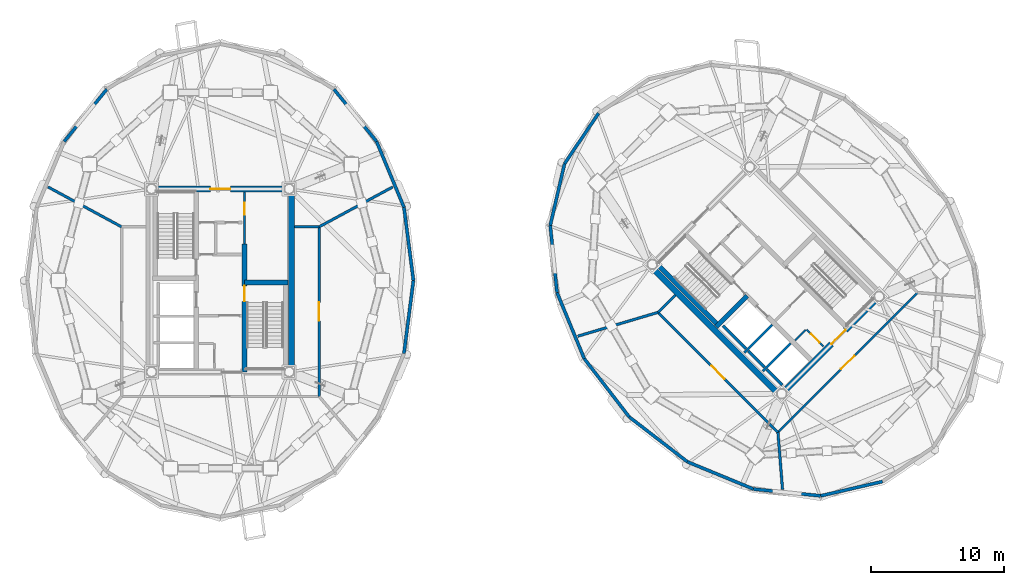
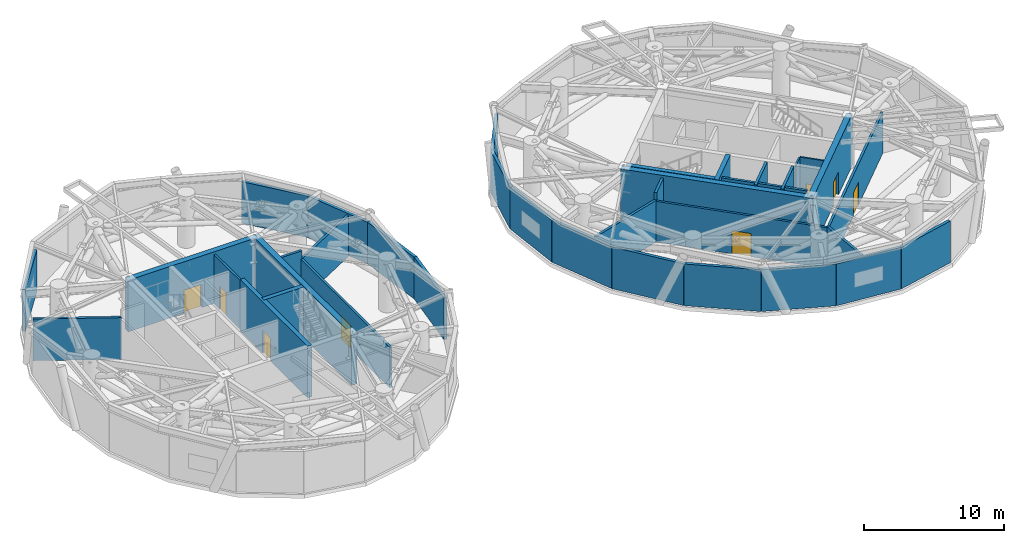
# One storey, part 11 of 16: 39 walls, 8 doors, 8 openings.
"""IFC4 building model written with IfcOpenShell, lengths in metres."""

from ifc_helpers import new_model, si_unit, direction, frame, frame_2d, origin, place, context, subcontext, project, spatial, rectangle, extrude, source, transform, mapped, material, layer, layer_set, type_object, element, fill, save


model = new_model("IFC4")

# Units and contexts
model_context = context("Model", 3, precision=1e-05, world=origin(), true_north=direction((0.0, 1.0)))
body_context = subcontext(model_context, "Body", "Model", "MODEL_VIEW")
ifc_project = project(units=[si_unit("LENGTHUNIT", "METRE"), si_unit("AREAUNIT", "SQUARE_METRE"), si_unit("VOLUMEUNIT", "CUBIC_METRE"), si_unit("PLANEANGLEUNIT", "RADIAN"), si_unit("MASSUNIT", "GRAM", prefix="KILO")], contexts=[model_context])

# Site, building, storey
site_placement = place(None, origin())
site = spatial("IfcSite", under=ifc_project, at=site_placement, CompositionType="ELEMENT")
building_placement = place(site_placement, origin())
building = spatial("IfcBuilding", under=site, at=building_placement, Name="Cununo Teusaquillo Station Towers", CompositionType="ELEMENT")
storey_placement = place(building_placement, frame((0.0, 0.0, 147.10009765625)))
storey = spatial("IfcBuildingStorey", under=building, at=storey_placement, Name="L46", CompositionType="ELEMENT", Elevation=147.10009765625)

# Walls
ifc_material_1 = material(Name="Concrete C50/60", Category="concrete")
ifc_layer_1 = layer(ifc_material_1, 0.199951171875)
ifc_layer_set_1 = layer_set([ifc_layer_1], Name="Concrete C50/60")
wall_type_1 = type_object("IfcWallType", Name="WL-CORE-200", PredefinedType="SHEAR", material=ifc_layer_set_1)
wall_1_placement = place(storey_placement, frame((55.8876953125, 19.0693359375, 0.0), z_axis=(0.0, 0.0, 1.0), x_axis=(0.707106781187, 0.707106781187, 0.0)))
element("IfcWall", 1, at=wall_1_placement, inside=storey, type_object=wall_type_1, Name="L46 Tower B Firefighting Lift Shaft South Shear Wall", PredefinedType="SHEAR", context=body_context, shape_type="SweptSolid", body=[
    extrude(rectangle(XDim=2.969970703125, YDim=0.199951171875, at=frame_2d((1.48486328125, 0.0))), origin(), (0.0, 0.0, 1.0), 4.5),
])
wall_2_placement = place(storey_placement, frame((56.01513671875, 19.366455078125, 0.0), z_axis=(0.0, 0.0, 1.0), x_axis=(-0.707106781187, 0.707106781187, 0.0)))
element("IfcWall", 2, at=wall_2_placement, inside=storey, type_object=wall_type_1, Name="L46 Tower B Firefighting Lift Shaft Rear Shear Wall", PredefinedType="SHEAR", context=body_context, shape_type="SweptSolid", body=[
    extrude(rectangle(XDim=2.43994140625, YDim=0.199951171875, at=frame_2d((1.219970703125, 0.0))), origin(), (0.0, 0.0, 1.0), 4.5),
])
wall_3_placement = place(storey_placement, frame((57.2841796875, 17.6728515625, 0.0), z_axis=(0.0, 0.0, 1.0), x_axis=(0.707147878904, 0.70706568108, 0.0)))
element("IfcWall", 3, at=wall_3_placement, inside=storey, type_object=wall_type_1, Name="L46 Tower B High-Rise Lift Hoistway Divider Shear Wall", PredefinedType="SHEAR", context=body_context, shape_type="SweptSolid", body=[
    extrude(rectangle(XDim=2.97021484375, YDim=0.199951171875, at=frame_2d((1.485107421875, 0.0))), origin(), (0.0, 0.0, 1.0), 4.5),
])
wall_4_placement = place(storey_placement, frame((57.41162109375, 17.969970703125, 0.0), z_axis=(0.0, 0.0, 1.0), x_axis=(-0.707106781187, 0.707106781187, 0.0)))
element("IfcWall", 4, at=wall_4_placement, inside=storey, type_object=wall_type_1, Name="L46 Tower B High-Rise Lift 2 Shaft Rear Shear Wall", PredefinedType="SHEAR", context=body_context, shape_type="SweptSolid", body=[
    extrude(rectangle(XDim=1.73486328125, YDim=0.199951171875, at=frame_2d((0.867431640625, 0.0))), origin(), (0.0, 0.0, 1.0), 4.5),
])
wall_5_placement = place(storey_placement, frame((58.7373046875, 16.64404296875, 0.0), z_axis=(0.0, 0.0, 1.0), x_axis=(-0.707032117043, 0.707181437447, 0.0)))
element("IfcWall", 5, at=wall_5_placement, inside=storey, type_object=wall_type_1, Name="L46 Tower B High-Rise Lift 1 Shaft Rear Shear Wall", PredefinedType="SHEAR", context=body_context, shape_type="SweptSolid", body=[
    extrude(rectangle(XDim=1.635009765625, YDim=0.199951171875, at=frame_2d((0.8173828125, 0.0))), origin(), (0.0, 0.0, 1.0), 4.5),
])

# Wall, opening, door
ifc_material_2 = material(Name="Concrete C50/60", Category="concrete")
ifc_layer_2 = layer(ifc_material_2, 0.35009765625)
ifc_layer_set_2 = layer_set([ifc_layer_2], Name="Concrete C50/60")
wall_type_2 = type_object("IfcWallType", Name="WL-CORE-350", PredefinedType="SHEAR", material=ifc_layer_set_2)
wall_6_placement = place(storey_placement, frame((18.31494140625, 17.625, 0.0), z_axis=(0.0, 0.0, 1.0), x_axis=(0.0, 1.0, 0.0)))
wall_6 = element("IfcWall", 6, at=wall_6_placement, inside=storey, type_object=wall_type_2, Name="L46 Tower A Core Shear Wall IE", PredefinedType="SHEAR", context=body_context, shape_type="SweptSolid", body=[
    extrude(rectangle(XDim=9.625, YDim=0.35009765625, at=frame_2d((4.8125, 0.0))), origin(), (0.0, 0.0, 1.0), 4.5),
])
shared_shape_1 = source(origin(), body_context, "Body", "SweptSolid", [
    extrude(rectangle(XDim=1.14990234375, YDim=2.02001953125, at=frame_2d((0.574951171875, 1.010009765625))), frame((0.0, 0.18505859375, 0.0), z_axis=(0.0, -1.0, 0.0), x_axis=(1.0, 0.0, 0.0)), (0.0, 0.0, 1.0), 0.3701171875),
])
opening_1_placement = place(wall_6_placement, frame((5.304931640625, 0.0, 0.0)))
opening_1 = element("IfcOpeningElement", 7, at=opening_1_placement, cuts=wall_6, Name="Opening D-ST1", PredefinedType="OPENING", context=body_context, shape_type="MappedRepresentation", body=[
    mapped(shared_shape_1, transform((0.0, 0.0, 0.0), x_axis=(1.0, 0.0, 0.0), y_axis=(0.0, 1.0, 0.0), z_axis=(0.0, 0.0, 1.0), scale=1.0)),
])
ifc_material_3 = material(Name="Galvanised fire-rated hollow steel door assembly", Category="steel")
door_type_1 = type_object("IfcDoorType", Name="DR-STAIR-1150", OperationType="NOTDEFINED", PredefinedType="DOOR", material=ifc_material_3)
shared_shape_2 = source(origin(), body_context, "Body", "SweptSolid", [
    extrude(rectangle(XDim=1.14990234375, YDim=2.02001953125, at=frame_2d((0.574951171875, 1.010009765625))), frame((0.0, 0.02490234375, 0.0), z_axis=(0.0, -1.0, 0.0), x_axis=(1.0, 0.0, 0.0)), (0.0, 0.0, 1.0), 0.050048828125),
])
door_1_placement = place(opening_1_placement, origin())
door_1 = element("IfcDoor", 8, at=door_1_placement, inside=storey, type_object=door_type_1, Name="L46 Tower A Exit Stair 2 Fire Door", OperationType="SINGLE_SWING_LEFT", OverallHeight=2.02001953125, OverallWidth=1.14990234375, PredefinedType="DOOR", context=body_context, shape_type="MappedRepresentation", body=[
    mapped(shared_shape_2, transform((0.0, 0.0, 0.0), x_axis=(1.0, 0.0, 0.0), y_axis=(0.0, 1.0, 0.0), z_axis=(0.0, 0.0, 1.0), scale=1.0)),
])
fill(opening_1, door_1)

# Walls
wall_7_placement = place(storey_placement, frame((18.31494140625, 24.344970703125, 0.0), z_axis=(0.0, 0.0, 1.0), x_axis=(1.0, 0.0, 0.0)))
element("IfcWall", 9, at=wall_7_placement, inside=storey, type_object=wall_type_2, Name="L46 Tower A Core Shear Wall ST2N", PredefinedType="SHEAR", context=body_context, shape_type="SweptSolid", body=[
    extrude(rectangle(XDim=3.28515625, YDim=0.35009765625, at=frame_2d((1.642578125, 0.0))), origin(), (0.0, 0.0, 1.0), 4.5),
])
wall_8_placement = place(storey_placement, frame((53.922119140625, 21.14111328125, 0.0), z_axis=(0.0, 0.0, 1.0), x_axis=(-0.707088616009, 0.707124945897, 0.0)))
element("IfcWall", 10, at=wall_8_placement, inside=storey, type_object=wall_type_2, Name="L46 Tower B Core Shear Wall ST1W", PredefinedType="SHEAR", context=body_context, shape_type="SweptSolid", body=[
    extrude(rectangle(XDim=6.72021484375, YDim=0.35009765625, at=frame_2d((3.360107421875, 0.0))), origin(), (0.0, 0.0, 1.0), 4.5),
])
wall_9_placement = place(storey_placement, frame((53.7841796875, 21.00341796875, 0.0), z_axis=(0.0, 0.0, 1.0), x_axis=(0.707106781187, 0.707106781187, 0.0)))
element("IfcWall", 11, at=wall_9_placement, inside=storey, type_object=wall_type_2, Name="L46 Tower B Core Shear Wall ST1S", PredefinedType="SHEAR", context=body_context, shape_type="SweptSolid", body=[
    extrude(rectangle(XDim=3.284912109375, YDim=0.35009765625, at=frame_2d((1.642578125, 0.0))), origin(), (0.0, 0.0, 1.0), 4.5),
])
ifc_material_4 = material(Name="Concrete C60/75", Category="concrete")
ifc_layer_3 = layer(ifc_material_4, 0.449951171875)
ifc_layer_set_3 = layer_set([ifc_layer_3], Name="Concrete C60/75")
wall_type_3 = type_object("IfcWallType", Name="WL-CORE-450", PredefinedType="SHEAR", material=ifc_layer_set_3)
wall_10_placement = place(storey_placement, frame((21.85009765625, 17.39990234375, 0.0), z_axis=(0.0, 0.0, 1.0), x_axis=(0.0, 1.0, 0.0)))
element("IfcWall", 12, at=wall_10_placement, inside=storey, type_object=wall_type_3, Name="L46 Tower A Core Shear Wall E", PredefinedType="SHEAR", context=body_context, shape_type="SweptSolid", body=[
    extrude(rectangle(XDim=14.2001953125, YDim=0.449951171875, at=frame_2d((7.10009765625, 0.0))), origin(), (0.0, 0.0, 1.0), 4.5),
])

# Wall, opening, door
wall_11_placement = place(storey_placement, frame((11.14990234375, 31.375, 0.0), z_axis=(0.0, 0.0, 1.0), x_axis=(1.0, 0.0, 0.0)))
wall_11 = element("IfcWall", 13, at=wall_11_placement, inside=storey, type_object=wall_type_3, Name="L46 Tower A Core Shear Wall N", PredefinedType="SHEAR", context=body_context, shape_type="SweptSolid", body=[
    extrude(rectangle(XDim=10.7001953125, YDim=0.449951171875, at=frame_2d((5.35009765625, 0.0))), origin(), (0.0, 0.0, 1.0), 4.5),
])
shared_shape_3 = source(origin(), body_context, "Body", "SweptSolid", [
    extrude(rectangle(XDim=1.5, YDim=2.02001953125, at=frame_2d((0.75, 1.010009765625))), frame((0.0, 0.23486328125, 0.0), z_axis=(0.0, -1.0, 0.0), x_axis=(1.0, 0.0, 0.0)), (0.0, 0.0, 1.0), 0.469970703125),
])
opening_2_placement = place(wall_11_placement, frame((4.60009765625, 0.0, 0.0)))
opening_2 = element("IfcOpeningElement", 14, at=opening_2_placement, cuts=wall_11, Name="Opening D-LB1", PredefinedType="OPENING", context=body_context, shape_type="MappedRepresentation", body=[
    mapped(shared_shape_3, transform((0.0, 0.0, 0.0), x_axis=(1.0, 0.0, 0.0), y_axis=(0.0, 1.0, 0.0), z_axis=(0.0, 0.0, 1.0), scale=1.0)),
])
ifc_material_5 = material(Name="Galvanised fire-rated hollow steel door assembly", Category="steel")
door_type_2 = type_object("IfcDoorType", Name="DR-LOBBY-1500", OperationType="DOUBLE_DOOR_SINGLE_SWING", PredefinedType="DOOR", material=ifc_material_5)
shared_shape_4 = source(origin(), body_context, "Body", "SweptSolid", [
    extrude(rectangle(XDim=1.5, YDim=2.02001953125, at=frame_2d((0.75, 1.010009765625))), frame((0.0, 0.02490234375, 0.0), z_axis=(0.0, -1.0, 0.0), x_axis=(1.0, 0.0, 0.0)), (0.0, 0.0, 1.0), 0.050048828125),
])
door_2_placement = place(opening_2_placement, origin())
door_2 = element("IfcDoor", 15, at=door_2_placement, inside=storey, type_object=door_type_2, Name="L46 Tower A North Core Lift Lobby Door", OperationType="DOUBLE_DOOR_SINGLE_SWING", OverallHeight=2.02001953125, OverallWidth=1.5, PredefinedType="DOOR", context=body_context, shape_type="MappedRepresentation", body=[
    mapped(shared_shape_4, transform((0.0, 0.0, 0.0), x_axis=(1.0, 0.0, 0.0), y_axis=(0.0, 1.0, 0.0), z_axis=(0.0, 0.0, 1.0), scale=1.0)),
])
fill(opening_2, door_2)

# Wall
wall_12_placement = place(storey_placement, frame((58.7373046875, 15.696533203125, 0.0), z_axis=(0.0, 0.0, 1.0), x_axis=(-0.707106781187, 0.707106781187, 0.0)))
element("IfcWall", 16, at=wall_12_placement, inside=storey, type_object=wall_type_3, Name="L46 Tower B Core Shear Wall W", PredefinedType="SHEAR", context=body_context, shape_type="SweptSolid", body=[
    extrude(rectangle(XDim=14.19970703125, YDim=0.449951171875, at=frame_2d((7.099853515625, 0.0))), origin(), (0.0, 0.0, 1.0), 4.5),
])

# Wall, opening, door
wall_13_placement = place(storey_placement, frame((58.578369140625, 15.855712890625, 0.0), z_axis=(0.0, 0.0, 1.0), x_axis=(0.707106781187, 0.707106781187, 0.0)))
wall_13 = element("IfcWall", 17, at=wall_13_placement, inside=storey, type_object=wall_type_3, Name="L46 Tower B Core Shear Wall S", PredefinedType="SHEAR", context=body_context, shape_type="SweptSolid", body=[
    extrude(rectangle(XDim=10.69970703125, YDim=0.449951171875, at=frame_2d((5.349853515625, 0.0))), origin(), (0.0, 0.0, 1.0), 4.5),
])
opening_3_placement = place(wall_13_placement, frame((5.449951171875, 0.0, 0.0)))
opening_3 = element("IfcOpeningElement", 18, at=opening_3_placement, cuts=wall_13, Name="Opening D-LB1", PredefinedType="OPENING", context=body_context, shape_type="MappedRepresentation", body=[
    mapped(shared_shape_3, transform((0.0, 0.0, 0.0), x_axis=(1.0, 0.0, 0.0), y_axis=(0.0, 1.0, 0.0), z_axis=(0.0, 0.0, 1.0), scale=1.0)),
])
door_3_placement = place(opening_3_placement, origin())
door_3 = element("IfcDoor", 19, at=door_3_placement, inside=storey, type_object=door_type_2, Name="L46 Tower B South Core Lift Lobby Door", OperationType="DOUBLE_DOOR_SINGLE_SWING", OverallHeight=2.02001953125, OverallWidth=1.5, PredefinedType="DOOR", context=body_context, shape_type="MappedRepresentation", body=[
    mapped(shared_shape_4, transform((0.0, 0.0, 0.0), x_axis=(1.0, 0.0, 0.0), y_axis=(0.0, 1.0, 0.0), z_axis=(0.0, 0.0, 1.0), scale=1.0)),
])
fill(opening_3, door_3)

# Walls
ifc_material_6 = material(Name="Precast concrete C40/50", Category="concrete")
ifc_layer_4 = layer(ifc_material_6, 0.239990234375)
ifc_layer_set_4 = layer_set([ifc_layer_4], Name="Precast concrete C40/50")
wall_type_4 = type_object("IfcWallType", Name="WL-EXT-240", PredefinedType="SOLIDWALL", material=ifc_layer_set_4)
wall_14_placement = place(storey_placement, frame((30.3046875, 29.9912109375, 0.0), z_axis=(0.0, 0.0, 1.0), x_axis=(0.128266533912, -0.991739732126, 0.0)))
element("IfcWall", 20, at=wall_14_placement, inside=storey, type_object=wall_type_4, Name="L46 Tower A Exterior Facade Wall C00", PredefinedType="SOLIDWALL", context=body_context, shape_type="SweptSolid", body=[
    extrude(rectangle(XDim=5.536865234375, YDim=0.239990234375, at=frame_2d((2.7685546875, 0.0))), origin(), (0.0, 0.0, 1.0), 3.635986328125),
])
wall_15_placement = place(storey_placement, frame((28.242919921875, 34.94482421875, 0.0), z_axis=(0.0, 0.0, 1.0), x_axis=(0.384259959969, -0.923224936386, 0.0)))
element("IfcWall", 21, at=wall_15_placement, inside=storey, type_object=wall_type_4, Name="L46 Tower A Exterior Facade Wall C01", PredefinedType="SOLIDWALL", context=body_context, shape_type="SweptSolid", body=[
    extrude(rectangle(XDim=5.365478515625, YDim=0.239990234375, at=frame_2d((2.6826171875, 0.0))), origin(), (0.0, 0.0, 1.0), 3.635986328125),
])
for number, where, z_axis, x_axis, name in (
    (22, (25.03173828125, 38.876220703125, 0.0), (0.0, 0.0, 1.0), (0.632598524901, -0.774479894053, 0.0), "L46 Tower A Exterior Facade Wall C02"),
    (23, (4.757080078125, 34.94482421875, 0.0), (0.0, 0.0, 1.0), (0.632598524901, 0.774479894053, 0.0), "L46 Tower A Exterior Facade Wall C07"),
):
    element("IfcWall", number, at=place(storey_placement, frame(where, z_axis=z_axis, x_axis=x_axis)), inside=storey, type_object=wall_type_4, Name=name, PredefinedType="SOLIDWALL", context=body_context, shape_type="SweptSolid", body=[
        extrude(rectangle(XDim=5.076171875, YDim=0.239990234375, at=frame_2d((2.5380859375, 0.0))), origin(), (0.0, 0.0, 1.0), 3.635986328125),
    ])
wall_16_placement = place(storey_placement, frame((31.014892578125, 24.5, 0.0), z_axis=(0.0, 0.0, 1.0), x_axis=(-0.128266533912, -0.991739732126, 0.0)))
element("IfcWall", 24, at=wall_16_placement, inside=storey, type_object=wall_type_4, Name="L46 Tower A Exterior Facade Wall C19", PredefinedType="SOLIDWALL", context=body_context, shape_type="SweptSolid", body=[
    extrude(rectangle(XDim=5.536865234375, YDim=0.239990234375, at=frame_2d((2.7685546875, 0.0))), origin(), (0.0, 0.0, 1.0), 3.635986328125),
])
wall_17_placement = place(storey_placement, frame((42.3779296875, 33.27880859375, 0.0), z_axis=(0.0, 0.0, 1.0), x_axis=(0.559635286042, 0.828739009952, 0.0)))
element("IfcWall", 25, at=wall_17_placement, inside=storey, type_object=wall_type_4, Name="L46 Tower B Exterior Facade Wall C05", PredefinedType="SOLIDWALL", context=body_context, shape_type="SweptSolid", body=[
    extrude(rectangle(XDim=4.56884765625, YDim=0.239990234375, at=frame_2d((2.284423828125, 0.0))), origin(), (0.0, 0.0, 1.0), 3.635986328125),
])
wall_18_placement = place(storey_placement, frame((41.3017578125, 28.6328125, 0.0), z_axis=(0.0, 0.0, 1.0), x_axis=(0.225659540039, 0.974206226622, 0.0)))
element("IfcWall", 26, at=wall_18_placement, inside=storey, type_object=wall_type_4, Name="L46 Tower B Exterior Facade Wall C06", PredefinedType="SOLIDWALL", context=body_context, shape_type="SweptSolid", body=[
    extrude(rectangle(XDim=4.76904296875, YDim=0.239990234375, at=frame_2d((2.384521484375, 0.0))), origin(), (0.0, 0.0, 1.0), 3.635986328125),
])
wall_19_placement = place(storey_placement, frame((41.810791015625, 23.582275390625, 0.0), z_axis=(0.0, 0.0, 1.0), x_axis=(-0.100279889424, 0.994959267396, 0.0)))
element("IfcWall", 27, at=wall_19_placement, inside=storey, type_object=wall_type_4, Name="L46 Tower B Exterior Facade Wall C07", PredefinedType="SOLIDWALL", context=body_context, shape_type="SweptSolid", body=[
    extrude(rectangle(XDim=5.076171875, YDim=0.239990234375, at=frame_2d((2.5380859375, 0.0))), origin(), (0.0, 0.0, 1.0), 3.635986328125),
])
wall_20_placement = place(storey_placement, frame((43.855712890625, 18.62158203125, 0.0), z_axis=(0.0, 0.0, 1.0), x_axis=(-0.38111364655, 0.924528197738, 0.0)))
element("IfcWall", 28, at=wall_20_placement, inside=storey, type_object=wall_type_4, Name="L46 Tower B Exterior Facade Wall C08", PredefinedType="SOLIDWALL", context=body_context, shape_type="SweptSolid", body=[
    extrude(rectangle(XDim=5.36572265625, YDim=0.239990234375, at=frame_2d((2.682861328125, 0.0))), origin(), (0.0, 0.0, 1.0), 3.635986328125),
])
for number, where, z_axis, x_axis, name in (
    (29, (47.236328125, 14.236328125, 0.0), (0.0, 0.0, 1.0), (-0.610543584779, 0.791982658323, 0.0), "L46 Tower B Exterior Facade Wall C09"),
    (30, (51.62158203125, 10.855712890625, 0.0), (0.0, 0.0, 1.0), (-0.791982658323, 0.610543584779, 0.0), "L46 Tower B Exterior Facade Wall C10"),
):
    element("IfcWall", number, at=place(storey_placement, frame(where, z_axis=z_axis, x_axis=x_axis)), inside=storey, type_object=wall_type_4, Name=name, PredefinedType="SOLIDWALL", context=body_context, shape_type="SweptSolid", body=[
        extrude(rectangle(XDim=5.537109375, YDim=0.239990234375, at=frame_2d((2.7685546875, 0.0))), origin(), (0.0, 0.0, 1.0), 3.635986328125),
    ])
wall_21_placement = place(storey_placement, frame((56.582275390625, 8.810791015625, 0.0), z_axis=(0.0, 0.0, 1.0), x_axis=(-0.924528197738, 0.38111364655, 0.0)))
element("IfcWall", 31, at=wall_21_placement, inside=storey, type_object=wall_type_4, Name="L46 Tower B Exterior Facade Wall C11", PredefinedType="SOLIDWALL", context=body_context, shape_type="SweptSolid", body=[
    extrude(rectangle(XDim=5.36572265625, YDim=0.239990234375, at=frame_2d((2.682861328125, 0.0))), origin(), (0.0, 0.0, 1.0), 3.635986328125),
])
wall_22_placement = place(storey_placement, frame((61.6328125, 8.3017578125, 0.0), z_axis=(0.0, 0.0, 1.0), x_axis=(-0.994959267396, 0.100279889424, 0.0)))
element("IfcWall", 32, at=wall_22_placement, inside=storey, type_object=wall_type_4, Name="L46 Tower B Exterior Facade Wall C12", PredefinedType="SOLIDWALL", context=body_context, shape_type="SweptSolid", body=[
    extrude(rectangle(XDim=5.076171875, YDim=0.239990234375, at=frame_2d((2.5380859375, 0.0))), origin(), (0.0, 0.0, 1.0), 3.635986328125),
])
wall_23_placement = place(storey_placement, frame((66.27880859375, 9.3779296875, 0.0), z_axis=(0.0, 0.0, 1.0), x_axis=(-0.974206226622, -0.225659540039, 0.0)))
element("IfcWall", 33, at=wall_23_placement, inside=storey, type_object=wall_type_4, Name="L46 Tower B Exterior Facade Wall C13", PredefinedType="SOLIDWALL", context=body_context, shape_type="SweptSolid", body=[
    extrude(rectangle(XDim=4.76904296875, YDim=0.239990234375, at=frame_2d((2.384521484375, 0.0))), origin(), (0.0, 0.0, 1.0), 3.635986328125),
])

# Wall, opening, door
ifc_material_7 = material(Name="Fire-rated gypsum plasterboard partition assembly", Category="gypsum")
ifc_layer_5 = layer(ifc_material_7, 0.125)
ifc_layer_set_5 = layer_set([ifc_layer_5], Name="Fire-rated gypsum plasterboard partition assembly")
wall_type_5 = type_object("IfcWallType", Name="WL-PART-125", PredefinedType="PARTITIONING", material=ifc_layer_set_5)
wall_24_placement = place(storey_placement, frame((61.834716796875, 19.529052734375, 0.0), z_axis=(0.0, 0.0, 1.0), x_axis=(-0.707174592913, 0.707038962956, 0.0)))
wall_24 = element("IfcWall", 34, at=wall_24_placement, inside=storey, type_object=wall_type_5, Name="L46 Tower B South-West Compact Store East Wall", PredefinedType="PARTITIONING", context=body_context, shape_type="SweptSolid", body=[
    extrude(rectangle(XDim=1.800048828125, YDim=0.125, at=frame_2d((0.89990234375, 0.0))), origin(), (0.0, 0.0, 1.0), 4.264892578125),
])
shared_shape_5 = source(origin(), body_context, "Body", "SweptSolid", [
    extrude(rectangle(XDim=0.89990234375, YDim=2.0048828125, at=frame_2d((0.449951171875, 1.00244140625))), frame((0.0, 0.072509765625, 0.0), z_axis=(0.0, -1.0, 0.0), x_axis=(1.0, 0.0, 0.0)), (0.0, 0.0, 1.0), 0.14501953125),
])
opening_4_placement = place(wall_24_placement, frame((0.419921875, 0.0, 0.0)))
opening_4 = element("IfcOpeningElement", 35, at=opening_4_placement, cuts=wall_24, Name="Opening D-SR1", PredefinedType="OPENING", context=body_context, shape_type="MappedRepresentation", body=[
    mapped(shared_shape_5, transform((0.0, 0.0, 0.0), x_axis=(1.0, 0.0, 0.0), y_axis=(0.0, 1.0, 0.0), z_axis=(0.0, 0.0, 1.0), scale=1.0)),
])
ifc_material_8 = material(Name="Galvanised fire-rated hollow steel door assembly", Category="steel")
door_type_3 = type_object("IfcDoorType", Name="DR-STORE-900", OperationType="NOTDEFINED", PredefinedType="DOOR", material=ifc_material_8)
shared_shape_6 = source(origin(), body_context, "Body", "SweptSolid", [
    extrude(rectangle(XDim=0.89990234375, YDim=2.0048828125, at=frame_2d((0.449951171875, 1.00244140625))), frame((0.0, 0.02490234375, 0.0), z_axis=(0.0, -1.0, 0.0), x_axis=(1.0, 0.0, 0.0)), (0.0, 0.0, 1.0), 0.050048828125),
])
door_4_placement = place(opening_4_placement, origin())
door_4 = element("IfcDoor", 36, at=door_4_placement, inside=storey, type_object=door_type_3, Name="L46 Tower B Core Electrical & Comms Store Door", OperationType="SINGLE_SWING_RIGHT", OverallHeight=2.0048828125, OverallWidth=0.89990234375, PredefinedType="DOOR", context=body_context, shape_type="MappedRepresentation", body=[
    mapped(shared_shape_6, transform((0.0, 0.0, 0.0), x_axis=(1.0, 0.0, 0.0), y_axis=(0.0, 1.0, 0.0), z_axis=(0.0, 0.0, 1.0), scale=1.0)),
])
fill(opening_4, door_4)

# Wall
wall_25_placement = place(storey_placement, frame((59.713134765625, 19.99560546875, 0.0), z_axis=(0.0, 0.0, 1.0), x_axis=(0.707217726, 0.706995818963, 0.0)))
element("IfcWall", 37, at=wall_25_placement, inside=storey, type_object=wall_type_5, Name="L46 Tower B South-West Compact Store North Wall", PredefinedType="PARTITIONING", context=body_context, shape_type="SweptSolid", body=[
    extrude(rectangle(XDim=1.10009765625, YDim=0.125, at=frame_2d((0.550048828125, 0.0))), origin(), (0.0, 0.0, 1.0), 4.264892578125),
])

# Wall, opening, door
ifc_material_9 = material(Name="Fire-rated gypsum plasterboard partition assembly", Category="gypsum")
ifc_layer_6 = layer(ifc_material_9, 0.159912109375)
ifc_layer_set_6 = layer_set([ifc_layer_6], Name="Fire-rated gypsum plasterboard partition assembly")
wall_type_6 = type_object("IfcWallType", Name="WL-PART-160", PredefinedType="PARTITIONING", material=ifc_layer_set_6)
wall_26_placement = place(storey_placement, frame((18.31494140625, 27.25, 0.0), z_axis=(0.0, 0.0, 1.0), x_axis=(0.0, 1.0, 0.0)))
wall_26 = element("IfcWall", 38, at=wall_26_placement, inside=storey, type_object=wall_type_6, Name="L46 Tower A Reclaimed Core Bay Entry Wall", PredefinedType="PARTITIONING", context=body_context, shape_type="SweptSolid", body=[
    extrude(rectangle(XDim=3.89990234375, YDim=0.159912109375, at=frame_2d((1.949951171875, 0.0))), origin(), (0.0, 0.0, 1.0), 4.264892578125),
])
shared_shape_7 = source(origin(), body_context, "Body", "SweptSolid", [
    extrude(rectangle(XDim=0.89990234375, YDim=2.0048828125, at=frame_2d((0.449951171875, 1.00244140625))), frame((0.0, 0.08984375, 0.0), z_axis=(0.0, -1.0, 0.0), x_axis=(1.0, 0.0, 0.0)), (0.0, 0.0, 1.0), 0.179931640625),
])
opening_5_placement = place(wall_26_placement, frame((2.199951171875, 0.0, 0.0)))
opening_5 = element("IfcOpeningElement", 39, at=opening_5_placement, cuts=wall_26, Name="Opening D-IN1", PredefinedType="OPENING", context=body_context, shape_type="MappedRepresentation", body=[
    mapped(shared_shape_7, transform((0.0, 0.0, 0.0), x_axis=(1.0, 0.0, 0.0), y_axis=(0.0, 1.0, 0.0), z_axis=(0.0, 0.0, 1.0), scale=1.0)),
])
ifc_material_10 = material(Name="Acoustic solid-core hardwood leaf assembly", Category="wood")
door_type_4 = type_object("IfcDoorType", Name="DR-INT-900", OperationType="NOTDEFINED", PredefinedType="DOOR", material=ifc_material_10)
door_5_placement = place(opening_5_placement, origin())
door_5 = element("IfcDoor", 40, at=door_5_placement, inside=storey, type_object=door_type_4, Name="L46 Tower A Reclaimed Core Lounge Door", OperationType="SINGLE_SWING_RIGHT", OverallHeight=2.0048828125, OverallWidth=0.89990234375, PredefinedType="DOOR", context=body_context, shape_type="MappedRepresentation", body=[
    mapped(shared_shape_6, transform((0.0, 0.0, 0.0), x_axis=(1.0, 0.0, 0.0), y_axis=(0.0, 1.0, 0.0), z_axis=(0.0, 0.0, 1.0), scale=1.0)),
])
fill(opening_5, door_5)

ifc_material_11 = material(Name="Fire-rated gypsum plasterboard partition assembly", Category="gypsum")
ifc_layer_7 = layer(ifc_material_11, 0.179931640625)
ifc_layer_set_7 = layer_set([ifc_layer_7], Name="Fire-rated gypsum plasterboard partition assembly")
wall_type_7 = type_object("IfcWallType", Name="WL-PART-180", PredefinedType="PARTITIONING", material=ifc_layer_set_7)
wall_27_placement = place(storey_placement, frame((23.925048828125, 15.77490234375, 0.0), z_axis=(0.0, 0.0, 1.0), x_axis=(0.0, 1.0, 0.0)))
wall_27 = element("IfcWall", 41, at=wall_27_placement, inside=storey, type_object=wall_type_7, Name="L46 Tower A Protected Plant Corridor Wall E", PredefinedType="PARTITIONING", context=body_context, shape_type="SweptSolid", body=[
    extrude(rectangle(XDim=12.75, YDim=0.179931640625, at=frame_2d((6.375, 0.0))), origin(), (0.0, 0.0, 1.0), 3.555908203125),
])
shared_shape_8 = source(origin(), body_context, "Body", "SweptSolid", [
    extrude(rectangle(XDim=1.39990234375, YDim=2.02001953125, at=frame_2d((0.699951171875, 1.010009765625))), frame((0.0, 0.099853515625, 0.0), z_axis=(0.0, -1.0, 0.0), x_axis=(1.0, 0.0, 0.0)), (0.0, 0.0, 1.0), 0.199951171875),
])
opening_6_placement = place(wall_27_placement, frame((5.675048828125, 0.0, 0.0)))
opening_6 = element("IfcOpeningElement", 42, at=opening_6_placement, cuts=wall_27, Name="Opening D-PL1", PredefinedType="OPENING", context=body_context, shape_type="MappedRepresentation", body=[
    mapped(shared_shape_8, transform((0.0, 0.0, 0.0), x_axis=(1.0, 0.0, 0.0), y_axis=(0.0, 1.0, 0.0), z_axis=(0.0, 0.0, 1.0), scale=1.0)),
])
ifc_material_12 = material(Name="Galvanised fire-rated hollow steel door assembly", Category="steel")
door_type_5 = type_object("IfcDoorType", Name="DR-PLANT-1400", OperationType="NOTDEFINED", PredefinedType="DOOR", material=ifc_material_12)
shared_shape_9 = source(origin(), body_context, "Body", "SweptSolid", [
    extrude(rectangle(XDim=1.39990234375, YDim=2.02001953125, at=frame_2d((0.699951171875, 1.010009765625))), frame((0.0, 0.02490234375, 0.0), z_axis=(0.0, -1.0, 0.0), x_axis=(1.0, 0.0, 0.0)), (0.0, 0.0, 1.0), 0.050048828125),
])
door_6_placement = place(opening_6_placement, origin())
door_6 = element("IfcDoor", 43, at=door_6_placement, inside=storey, type_object=door_type_5, Name="L46 Tower A Plant Room E Double Door", OperationType="SINGLE_SWING_LEFT", OverallHeight=2.02001953125, OverallWidth=1.39990234375, PredefinedType="DOOR", context=body_context, shape_type="MappedRepresentation", body=[
    mapped(shared_shape_9, transform((0.0, 0.0, 0.0), x_axis=(1.0, 0.0, 0.0), y_axis=(0.0, 1.0, 0.0), z_axis=(0.0, 0.0, 1.0), scale=1.0)),
])
fill(opening_6, door_6)

wall_28_placement = place(storey_placement, frame((58.419189453125, 13.080078125, 0.0), z_axis=(0.0, 0.0, 1.0), x_axis=(0.707106781187, 0.707106781187, 0.0)))
wall_28 = element("IfcWall", 44, at=wall_28_placement, inside=storey, type_object=wall_type_7, Name="L46 Tower B Protected Plant Corridor Wall S", PredefinedType="PARTITIONING", context=body_context, shape_type="SweptSolid", body=[
    extrude(rectangle(XDim=14.850341796875, YDim=0.179931640625, at=frame_2d((7.42529296875, 0.0))), origin(), (0.0, 0.0, 1.0), 3.555908203125),
])
opening_7_placement = place(wall_28_placement, frame((6.72509765625, 0.0, 0.0)))
opening_7 = element("IfcOpeningElement", 45, at=opening_7_placement, cuts=wall_28, Name="Opening D-PL1", PredefinedType="OPENING", context=body_context, shape_type="MappedRepresentation", body=[
    mapped(shared_shape_8, transform((0.0, 0.0, 0.0), x_axis=(1.0, 0.0, 0.0), y_axis=(0.0, 1.0, 0.0), z_axis=(0.0, 0.0, 1.0), scale=1.0)),
])
door_7_placement = place(opening_7_placement, origin())
door_7 = element("IfcDoor", 46, at=door_7_placement, inside=storey, type_object=door_type_5, Name="L46 Tower B Plant Room S Double Door", OperationType="SINGLE_SWING_LEFT", OverallHeight=2.02001953125, OverallWidth=1.39990234375, PredefinedType="DOOR", context=body_context, shape_type="MappedRepresentation", body=[
    mapped(shared_shape_9, transform((0.0, 0.0, 0.0), x_axis=(1.0, 0.0, 0.0), y_axis=(0.0, 1.0, 0.0), z_axis=(0.0, 0.0, 1.0), scale=1.0)),
])
fill(opening_7, door_7)

wall_29_placement = place(storey_placement, frame((58.419189453125, 13.080078125, 0.0), z_axis=(0.0, 0.0, 1.0), x_axis=(-0.707106781187, 0.707106781187, 0.0)))
wall_29 = element("IfcWall", 47, at=wall_29_placement, inside=storey, type_object=wall_type_7, Name="L46 Tower B Protected Plant Corridor Wall W", PredefinedType="PARTITIONING", context=body_context, shape_type="SweptSolid", body=[
    extrude(rectangle(XDim=12.75, YDim=0.179931640625, at=frame_2d((6.375, 0.0))), origin(), (0.0, 0.0, 1.0), 3.555908203125),
])
opening_8_placement = place(wall_29_placement, frame((5.675048828125, 0.0, 0.0)))
opening_8 = element("IfcOpeningElement", 48, at=opening_8_placement, cuts=wall_29, Name="Opening D-PL1", PredefinedType="OPENING", context=body_context, shape_type="MappedRepresentation", body=[
    mapped(shared_shape_8, transform((0.0, 0.0, 0.0), x_axis=(1.0, 0.0, 0.0), y_axis=(0.0, 1.0, 0.0), z_axis=(0.0, 0.0, 1.0), scale=1.0)),
])
door_8_placement = place(opening_8_placement, origin())
door_8 = element("IfcDoor", 49, at=door_8_placement, inside=storey, type_object=door_type_5, Name="L46 Tower B Plant Room W Double Door", OperationType="SINGLE_SWING_RIGHT", OverallHeight=2.02001953125, OverallWidth=1.39990234375, PredefinedType="DOOR", context=body_context, shape_type="MappedRepresentation", body=[
    mapped(shared_shape_9, transform((0.0, 0.0, 0.0), x_axis=(1.0, 0.0, 0.0), y_axis=(0.0, 1.0, 0.0), z_axis=(0.0, 0.0, 1.0), scale=1.0)),
])
fill(opening_8, door_8)

# Walls
ifc_material_13 = material(Name="Fire-rated gypsum plasterboard partition assembly", Category="gypsum")
ifc_layer_8 = layer(ifc_material_13, 0.199951171875)
ifc_layer_set_8 = layer_set([ifc_layer_8], Name="Fire-rated gypsum plasterboard partition assembly")
wall_type_8 = type_object("IfcWallType", Name="WL-PART-200", PredefinedType="PARTITIONING", material=ifc_layer_set_8)
wall_30_placement = place(storey_placement, frame((22.074951171875, 28.52490234375, 0.0), z_axis=(0.0, 0.0, 1.0), x_axis=(1.0, 0.0, 0.0)))
element("IfcWall", 50, at=wall_30_placement, inside=storey, type_object=wall_type_8, Name="L46 Tower A Sky Refuge Smoke-Stop Wall NE", PredefinedType="PARTITIONING", context=body_context, shape_type="SweptSolid", body=[
    extrude(rectangle(XDim=1.85009765625, YDim=0.199951171875, at=frame_2d((0.925048828125, 0.0))), origin(), (0.0, 0.0, 1.0), 4.264892578125),
])
wall_31_placement = place(storey_placement, frame((9.074951171875, 28.52490234375, 0.0), z_axis=(0.0, 0.0, 1.0), x_axis=(-0.879137456905, 0.476568286677, 0.0)))
element("IfcWall", 51, at=wall_31_placement, inside=storey, type_object=wall_type_8, Name="L46 Tower A Compartment Radial Fire Wall Q1", PredefinedType="PARTITIONING", context=body_context, shape_type="SweptSolid", body=[
    extrude(rectangle(XDim=6.288330078125, YDim=0.199951171875, at=frame_2d((3.14404296875, 0.0))), origin(), (0.0, 0.0, 1.0), 3.635986328125),
])
wall_32_placement = place(storey_placement, frame((23.925048828125, 28.52490234375, 0.0), z_axis=(0.0, 0.0, 1.0), x_axis=(0.879137456905, 0.476568286677, 0.0)))
element("IfcWall", 52, at=wall_32_placement, inside=storey, type_object=wall_type_8, Name="L46 Tower A Compartment Radial Fire Wall Q2", PredefinedType="PARTITIONING", context=body_context, shape_type="SweptSolid", body=[
    extrude(rectangle(XDim=6.288330078125, YDim=0.199951171875, at=frame_2d((3.14404296875, 0.0))), origin(), (0.0, 0.0, 1.0), 3.555908203125),
])
wall_33_placement = place(storey_placement, frame((49.403564453125, 22.095703125, 0.0), z_axis=(0.0, 0.0, 1.0), x_axis=(0.707106781187, 0.707106781187, 0.0)))
element("IfcWall", 53, at=wall_33_placement, inside=storey, type_object=wall_type_8, Name="L46 Tower B Sky Refuge Smoke-Stop Wall NW", PredefinedType="PARTITIONING", context=body_context, shape_type="SweptSolid", body=[
    extrude(rectangle(XDim=1.850341796875, YDim=0.199951171875, at=frame_2d((0.92529296875, 0.0))), origin(), (0.0, 0.0, 1.0), 4.264892578125),
])
wall_34_placement = place(storey_placement, frame((49.403564453125, 22.095703125, 0.0), z_axis=(0.0, 0.0, 1.0), x_axis=(-0.958637762684, -0.284628951368, 0.0)))
element("IfcWall", 54, at=wall_34_placement, inside=storey, type_object=wall_type_8, Name="L46 Tower B Compartment Radial Fire Wall Q1", PredefinedType="PARTITIONING", context=body_context, shape_type="SweptSolid", body=[
    extrude(rectangle(XDim=6.2880859375, YDim=0.199951171875, at=frame_2d((3.14404296875, 0.0))), origin(), (0.0, 0.0, 1.0), 3.635986328125),
])
wall_35_placement = place(storey_placement, frame((58.419189453125, 13.080078125, 0.0), z_axis=(0.0, 0.0, 1.0), x_axis=(0.080243332526, -0.996775304462, 0.0)))
element("IfcWall", 55, at=wall_35_placement, inside=storey, type_object=wall_type_8, Name="L46 Tower B Compartment Radial Fire Wall Q4", PredefinedType="PARTITIONING", context=body_context, shape_type="SweptSolid", body=[
    extrude(rectangle(XDim=4.30517578125, YDim=0.199951171875, at=frame_2d((2.152587890625, 0.0))), origin(), (0.0, 0.0, 1.0), 3.635986328125),
])

save(model, "model.ifc")
